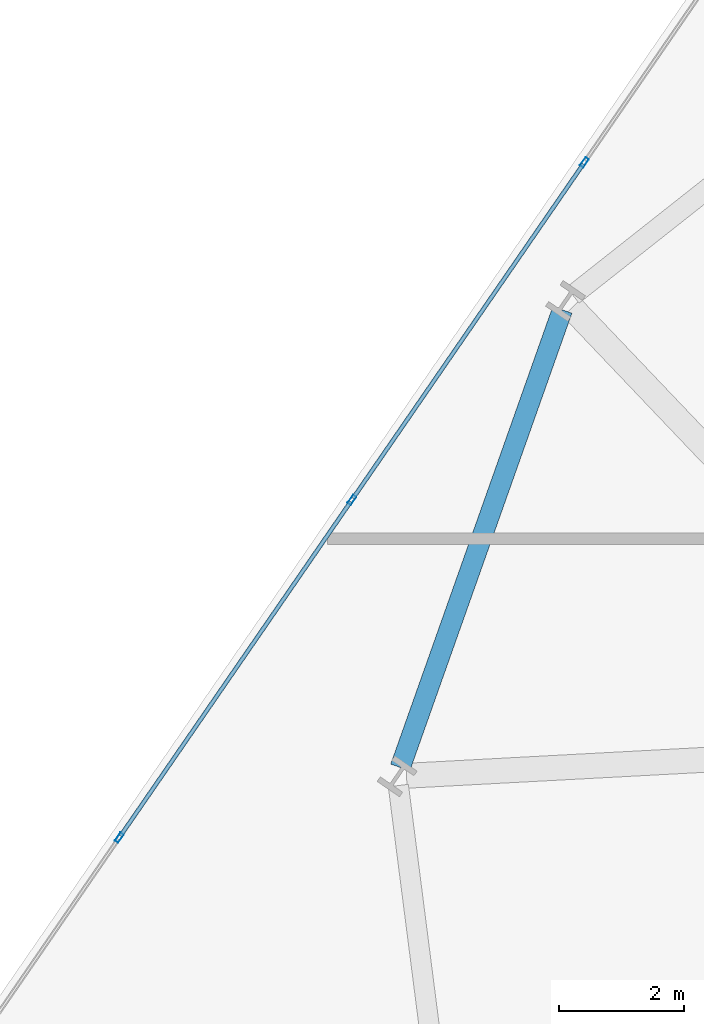
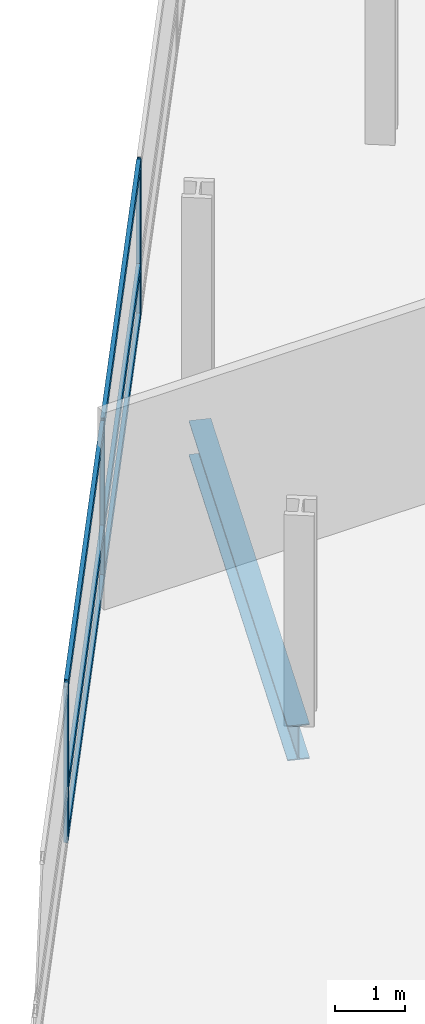
# One storey, part 4 of 25: 9 members, 1 beam, 1 element without a shape of its own.
"""IFC4 building model written with IfcOpenShell, lengths in metres."""

from ifc_helpers import new_model, si_unit, direction, frame, origin, origin_2d, place, context, subcontext, project, spatial, hollow_rectangle, i_section, extrude, material, layer, layer_set, material_profile, profile_set, type_object, element, aggregate, save


model = new_model("IFC4")

# Units and contexts
model_context = context("Model", 3, precision=1e-05, world=origin(), true_north=direction((0.0, 1.0)))
body_context = subcontext(model_context, "Body", "Model", "MODEL_VIEW")
ifc_project = project(units=[si_unit("LENGTHUNIT", "METRE"), si_unit("AREAUNIT", "SQUARE_METRE"), si_unit("VOLUMEUNIT", "CUBIC_METRE"), si_unit("PLANEANGLEUNIT", "RADIAN"), si_unit("MASSUNIT", "GRAM", prefix="KILO")], contexts=[model_context])

# Site, building, storey
site_placement = place(None, origin())
site = spatial("IfcSite", under=ifc_project, at=site_placement, CompositionType="ELEMENT")
building_placement = place(site_placement, origin())
building = spatial("IfcBuilding", under=site, at=building_placement, Name="Varnelok Gate Tower", CompositionType="ELEMENT")
storey_placement = place(building_placement, frame((0.0, 0.0, 34.39990234375)))
storey = spatial("IfcBuildingStorey", under=building, at=storey_placement, Name="L07", CompositionType="ELEMENT", Elevation=34.39990234375)

# Beam
ifc_material_1 = material(Name="Structural Steel ASTM A992 Grade 50", Category="steel")
ifc_material_profile_1 = material_profile(ifc_material_1, i_section(OverallWidth=0.323974609375, OverallDepth=0.611083984375, WebThickness=0.0126953125, FlangeThickness=0.01904296875, FilletRadius=0.01806640625, at=origin_2d()), Name="W24X104")
ifc_profile_set_1 = profile_set([ifc_material_profile_1], Name="Structural Steel ASTM A992 Grade 50")
beam_type = type_object("IfcBeamType", Name="BM-SPN-W24X104", PredefinedType="SPANDREL", material=ifc_profile_set_1)
beam_placement = place(storey_placement, frame((6.679931640625, 45.09619140625, -0.555419921875), z_axis=(-0.333877359029, -0.942616522838, 0.0), x_axis=(0.942616522838, -0.333877359029, 0.0)))
element("IfcBeam", 1, at=beam_placement, inside=storey, type_object=beam_type, Name="L07 Perimeter Spandrel Beam 15", PredefinedType="SPANDREL", context=body_context, shape_type="SweptSolid", body=[
    extrude(i_section(OverallWidth=0.323974609375, OverallDepth=0.611083984375, WebThickness=0.0126953125, FlangeThickness=0.01904296875, FilletRadius=0.01806640625, at=origin_2d()), origin(), (0.0, 0.0, 1.0), 7.77734375),
])

# Curtain wall, members
ifc_material_2 = material(Name="Anodized Aluminum Alloy 6063-T6", Category="aluminium")
ifc_layer = layer(ifc_material_2, 0.179931640625)
ifc_layer_set = layer_set([ifc_layer], Name="Anodized Aluminum Alloy 6063-T6")
curtain_wall_type = type_object("IfcCurtainWallType", Name="CW3-HOTEL-VISION", PredefinedType="USERDEFINED", material=ifc_layer_set)
curtain_wall_placement = place(storey_placement, origin())
curtain_wall = element("IfcCurtainWall", 2, at=curtain_wall_placement, inside=storey, type_object=curtain_wall_type, Name="L07 West End Vision Curtain Wall", ObjectType="UNITISED CURTAIN WALL", PredefinedType="USERDEFINED")
ifc_material_profile_2 = material_profile(ifc_material_2, hollow_rectangle(XDim=0.06494140625, YDim=0.159912109375, WallThickness=0.00390625, at=origin_2d()), Name="ALU160X65X4")
ifc_profile_set_2 = profile_set([ifc_material_profile_2], Name="Anodized Aluminum Alloy 6063-T6")
member_type_1 = type_object("IfcMemberType", Name="CW-MULL-160", PredefinedType="MULLION", material=ifc_profile_set_2)
member_1_placement = place(storey_placement, frame((-0.417236328125, 36.641845703125, 0.0), z_axis=(0.0, 0.0, 1.0), x_axis=(-0.823532685111, 0.567268822124, 0.0)))
member_1 = element("IfcMember", 3, at=member_1_placement, type_object=member_type_1, Name="CW3 mullion 2", PredefinedType="MULLION", context=body_context, shape_type="SweptSolid", body=[
    extrude(hollow_rectangle(XDim=0.06494140625, YDim=0.159912109375, WallThickness=0.00390625, at=origin_2d()), origin(), (0.0, 0.0, 1.0), 2.72998046875),
])
member_2_placement = place(storey_placement, frame((3.3076171875, 42.049560546875, 0.0), z_axis=(0.0, 0.0, 1.0), x_axis=(-0.823532685111, 0.567268822124, 0.0)))
member_2 = element("IfcMember", 4, at=member_2_placement, type_object=member_type_1, Name="CW3 mullion 3", PredefinedType="MULLION", context=body_context, shape_type="SweptSolid", body=[
    extrude(hollow_rectangle(XDim=0.06494140625, YDim=0.159912109375, WallThickness=0.00390625, at=origin_2d()), origin(), (0.0, 0.0, 1.0), 2.72998046875),
])
member_3_placement = place(storey_placement, frame((7.03271484375, 47.45751953125, 0.0), z_axis=(0.0, 0.0, 1.0), x_axis=(-0.823532685111, 0.567268822124, 0.0)))
member_3 = element("IfcMember", 5, at=member_3_placement, type_object=member_type_1, Name="CW3 mullion 4", PredefinedType="MULLION", context=body_context, shape_type="SweptSolid", body=[
    extrude(hollow_rectangle(XDim=0.06494140625, YDim=0.159912109375, WallThickness=0.00390625, at=origin_2d()), origin(), (0.0, 0.0, 1.0), 2.72998046875),
])
ifc_material_profile_3 = material_profile(ifc_material_2, hollow_rectangle(XDim=0.06494140625, YDim=0.159912109375, WallThickness=0.00390625, at=origin_2d()), Name="ALU160X65X4")
ifc_profile_set_3 = profile_set([ifc_material_profile_3], Name="Anodized Aluminum Alloy 6063-T6")
member_type_2 = type_object("IfcMemberType", Name="CW-TRAN-160", PredefinedType="USERDEFINED", material=ifc_profile_set_3)
member_4_placement = place(storey_placement, frame((-0.39892578125, 36.66845703125, 0.03271484375), z_axis=(0.567261662339, 0.823537616894, 0.0), x_axis=(-0.823537616894, 0.567261662339, 0.0)))
member_4 = element("IfcMember", 6, at=member_4_placement, type_object=member_type_2, Name="CW3 transom 2.1", ObjectType="TRANSOM", PredefinedType="USERDEFINED", context=body_context, shape_type="SweptSolid", body=[
    extrude(hollow_rectangle(XDim=0.06494140625, YDim=0.159912109375, WallThickness=0.00390625, at=origin_2d()), origin(), (0.0, 0.0, 1.0), 6.501708984375),
])
member_5_placement = place(storey_placement, frame((-0.39892578125, 36.66845703125, 0.900146484375), z_axis=(0.567261662339, 0.823537616894, 0.0), x_axis=(-0.823537616894, 0.567261662339, 0.0)))
member_5 = element("IfcMember", 7, at=member_5_placement, type_object=member_type_2, Name="CW3 transom 2.2", ObjectType="TRANSOM", PredefinedType="USERDEFINED", context=body_context, shape_type="SweptSolid", body=[
    extrude(hollow_rectangle(XDim=0.06494140625, YDim=0.159912109375, WallThickness=0.00390625, at=origin_2d()), origin(), (0.0, 0.0, 1.0), 6.501708984375),
])
member_6_placement = place(storey_placement, frame((-0.39892578125, 36.66845703125, 2.697509765625), z_axis=(0.567261662339, 0.823537616894, 0.0), x_axis=(-0.823537616894, 0.567261662339, 0.0)))
member_6 = element("IfcMember", 8, at=member_6_placement, type_object=member_type_2, Name="CW3 transom 2.3", ObjectType="TRANSOM", PredefinedType="USERDEFINED", context=body_context, shape_type="SweptSolid", body=[
    extrude(hollow_rectangle(XDim=0.06494140625, YDim=0.159912109375, WallThickness=0.00390625, at=origin_2d()), origin(), (0.0, 0.0, 1.0), 6.501708984375),
])
member_7_placement = place(storey_placement, frame((3.326171875, 42.076416015625, 0.03271484375), z_axis=(0.567279204469, 0.823525533409, 0.0), x_axis=(-0.823525533409, 0.567279204469, 0.0)))
member_7 = element("IfcMember", 9, at=member_7_placement, type_object=member_type_2, Name="CW3 transom 3.1", ObjectType="TRANSOM", PredefinedType="USERDEFINED", context=body_context, shape_type="SweptSolid", body=[
    extrude(hollow_rectangle(XDim=0.06494140625, YDim=0.159912109375, WallThickness=0.00390625, at=origin_2d()), origin(), (0.0, 0.0, 1.0), 6.501708984375),
])
member_8_placement = place(storey_placement, frame((3.326171875, 42.076416015625, 0.900146484375), z_axis=(0.567279204469, 0.823525533409, 0.0), x_axis=(-0.823525533409, 0.567279204469, 0.0)))
member_8 = element("IfcMember", 10, at=member_8_placement, type_object=member_type_2, Name="CW3 transom 3.2", ObjectType="TRANSOM", PredefinedType="USERDEFINED", context=body_context, shape_type="SweptSolid", body=[
    extrude(hollow_rectangle(XDim=0.06494140625, YDim=0.159912109375, WallThickness=0.00390625, at=origin_2d()), origin(), (0.0, 0.0, 1.0), 6.501708984375),
])
member_9_placement = place(storey_placement, frame((3.326171875, 42.076416015625, 2.697509765625), z_axis=(0.567279204469, 0.823525533409, 0.0), x_axis=(-0.823525533409, 0.567279204469, 0.0)))
member_9 = element("IfcMember", 11, at=member_9_placement, type_object=member_type_2, Name="CW3 transom 3.3", ObjectType="TRANSOM", PredefinedType="USERDEFINED", context=body_context, shape_type="SweptSolid", body=[
    extrude(hollow_rectangle(XDim=0.06494140625, YDim=0.159912109375, WallThickness=0.00390625, at=origin_2d()), origin(), (0.0, 0.0, 1.0), 6.501708984375),
])
aggregate(curtain_wall, [member_1, member_2, member_3, member_4, member_5, member_6, member_7, member_8, member_9])

save(model, "model.ifc")
